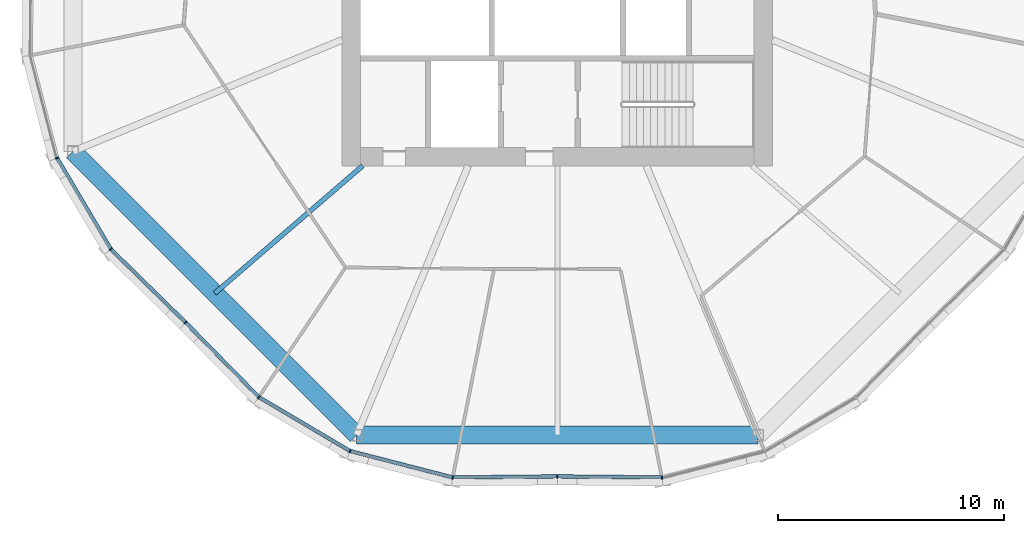
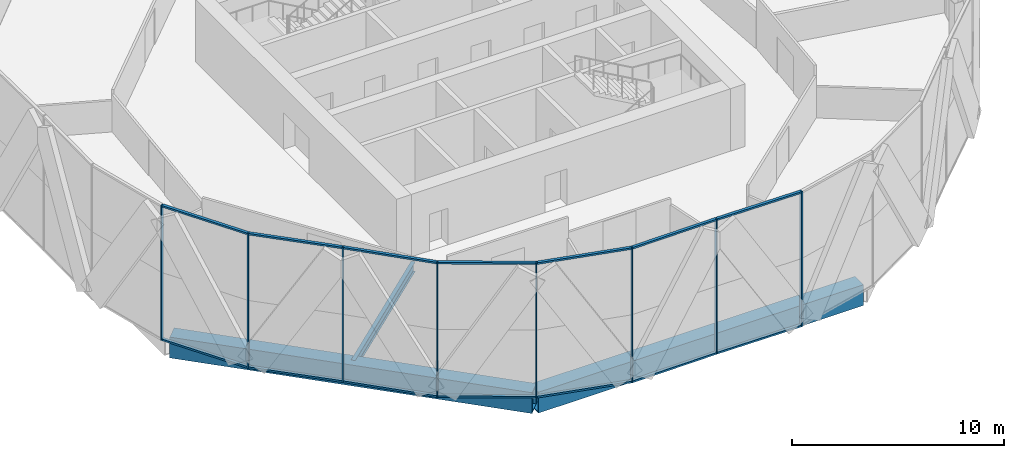
# One storey, part 3 of 31: 22 members, 3 beams, 3 elements without a shape of their own.
"""IFC4 building model written with IfcOpenShell, lengths in metres."""

from ifc_helpers import new_model, si_unit, direction, frame, origin, origin_2d, place, context, subcontext, project, spatial, rectangle, hollow_rectangle, i_section, extrude, material, material_profile, profile_set, type_object, element, aggregate, save


model = new_model("IFC4")

# Units and contexts
model_context = context("Model", 3, precision=1e-05, world=origin(), true_north=direction((0.0, 1.0)))
body_context = subcontext(model_context, "Body", "Model", "MODEL_VIEW")
ifc_project = project(units=[si_unit("LENGTHUNIT", "METRE"), si_unit("AREAUNIT", "SQUARE_METRE"), si_unit("VOLUMEUNIT", "CUBIC_METRE"), si_unit("PLANEANGLEUNIT", "RADIAN"), si_unit("MASSUNIT", "GRAM", prefix="KILO")], contexts=[model_context])

# Site, building, storey
site_placement = place(None, origin())
site = spatial("IfcSite", under=ifc_project, at=site_placement, CompositionType="ELEMENT")
building_placement = place(site_placement, origin())
building = spatial("IfcBuilding", under=site, at=building_placement, Name="Ogive Gate Towers", CompositionType="ELEMENT")
storey_placement = place(building_placement, frame((0.0, 0.0, 107.39990234375)))
storey = spatial("IfcBuildingStorey", under=building, at=storey_placement, Name="L25", CompositionType="ELEMENT", Elevation=107.39990234375)

# Beams
ifc_material_1 = material(Name="Steel SM460", Category="steel")
ifc_material_profile_1 = material_profile(ifc_material_1, hollow_rectangle(XDim=0.800048828125, YDim=1.199951171875, WallThickness=0.050048828125, at=origin_2d()), Name="BX 1200x800x50")
ifc_profile_set_1 = profile_set([ifc_material_profile_1], Name="Steel SM460")
beam_type_1 = type_object("IfcBeamType", Name="Edge girder BX 1200x800x50", PredefinedType="BEAM", material=ifc_profile_set_1)
beam_1_placement = place(storey_placement, frame((-57.39697265625, -8.863037109375, -0.89990234375), z_axis=(0.707106781187, -0.707106781187, 0.0), x_axis=(0.707106781187, 0.707106781187, 0.0)))
element("IfcBeam", 1, at=beam_1_placement, inside=storey, type_object=beam_type_1, Name="T1/L25/SBM017", PredefinedType="BEAM", context=body_context, shape_type="SweptSolid", body=[
    extrude(hollow_rectangle(XDim=0.800048828125, YDim=1.199951171875, WallThickness=0.050048828125, at=origin_2d()), origin(), (0.0, 0.0, 1.0), 17.7255859375),
])
beam_2_placement = place(storey_placement, frame((-44.863037109375, -21.39697265625, -0.89990234375), z_axis=(1.0, 0.0, 0.0), x_axis=(0.0, 1.0, 0.0)))
element("IfcBeam", 2, at=beam_2_placement, inside=storey, type_object=beam_type_1, Name="T1/L25/SBM018", PredefinedType="BEAM", context=body_context, shape_type="SweptSolid", body=[
    extrude(hollow_rectangle(XDim=0.800048828125, YDim=1.199951171875, WallThickness=0.050048828125, at=origin_2d()), origin(), (0.0, 0.0, 1.0), 17.72607421875),
])
ifc_material_2 = material(Name="Steel SM355", Category="steel")
ifc_material_profile_2 = material_profile(ifc_material_2, i_section(OverallWidth=0.2099609375, OverallDepth=0.550048828125, WebThickness=0.010986328125, FlangeThickness=0.01708984375, FilletRadius=0.02392578125, at=origin_2d()), Name="IPE 550")
ifc_profile_set_2 = profile_set([ifc_material_profile_2], Name="Steel SM355")
beam_type_2 = type_object("IfcBeamType", Name="Radial floor beam IPE 550", PredefinedType="BEAM", material=ifc_profile_set_2)
beam_3_placement = place(storey_placement, frame((-44.60009765625, -9.5, -0.574951171875), z_axis=(-0.757366499315, -0.652990034928, 0.0), x_axis=(0.652990034928, -0.757366499315, 0.0)))
element("IfcBeam", 3, at=beam_3_placement, inside=storey, type_object=beam_type_2, Name="T1/L25/SBM002", PredefinedType="BEAM", context=body_context, shape_type="SweptSolid", body=[
    extrude(i_section(OverallWidth=0.2099609375, OverallDepth=0.550048828125, WebThickness=0.010986328125, FlangeThickness=0.01708984375, FilletRadius=0.02392578125, at=origin_2d()), origin(), (0.0, 0.0, 1.0), 8.62158203125),
])

# Curtain wall, members
ifc_material_3 = material(Name="Pale metal aluminium", Category="aluminium")
curtain_wall_type = type_object("IfcCurtainWallType", Name="Tower unitised wall, low zone", PredefinedType="NOTDEFINED", material=ifc_material_3)
curtain_wall_1_placement = place(storey_placement, origin())
curtain_wall_1 = element("IfcCurtainWall", 4, at=curtain_wall_1_placement, inside=storey, type_object=curtain_wall_type, Name="CW1 T1 ECW05", PredefinedType="NOTDEFINED")
ifc_material_profile_3 = material_profile(ifc_material_3, rectangle(XDim=0.159912109375, YDim=0.06005859375, at=origin_2d()), Name="60 x 160 aluminium box")
ifc_profile_set_3 = profile_set([ifc_material_profile_3], Name="Pale metal aluminium")
member_type_1 = type_object("IfcMemberType", Name="Tower unitised wall, low zone mullion 60 x 160", PredefinedType="MULLION", material=ifc_profile_set_3)
member_1_placement = place(storey_placement, frame((-58.10009765625, -9.154052734375, -0.2998046875), z_axis=(0.0, 0.0, 1.0), x_axis=(-0.923879532511, -0.382683432365, 0.0)))
member_1 = element("IfcMember", 5, at=member_1_placement, type_object=member_type_1, Name="CW1 mullion", PredefinedType="MULLION", context=body_context, shape_type="SweptSolid", body=[
    extrude(rectangle(XDim=0.159912109375, YDim=0.06005859375, at=origin_2d()), origin(), (0.0, 0.0, 1.0), 7.7998046875),
])
member_2_placement = place(storey_placement, frame((-55.719482421875, -13.18359375, -0.2998046875), z_axis=(0.0, 0.0, 1.0), x_axis=(-0.787247231069, -0.616637492514, 0.0)))
member_2 = element("IfcMember", 6, at=member_2_placement, type_object=member_type_1, Name="CW1 mullion", PredefinedType="MULLION", context=body_context, shape_type="SweptSolid", body=[
    extrude(rectangle(XDim=0.159912109375, YDim=0.06005859375, at=origin_2d()), origin(), (0.0, 0.0, 1.0), 7.7998046875),
])
member_3_placement = place(storey_placement, frame((-52.419189453125, -16.4189453125, -0.2998046875), z_axis=(0.0, 0.0, 1.0), x_axis=(-0.700062268192, -0.714081802495, 0.0)))
member_3 = element("IfcMember", 7, at=member_3_placement, type_object=member_type_1, Name="CW1 mullion", PredefinedType="MULLION", context=body_context, shape_type="SweptSolid", body=[
    extrude(rectangle(XDim=0.159912109375, YDim=0.06005859375, at=origin_2d()), origin(), (0.0, 0.0, 1.0), 7.7998046875),
])

curtain_wall_2_placement = place(storey_placement, origin())
curtain_wall_2 = element("IfcCurtainWall", 8, at=curtain_wall_2_placement, inside=storey, type_object=curtain_wall_type, Name="CW1 T1 ECW06", PredefinedType="NOTDEFINED")
member_4_placement = place(storey_placement, frame((-49.18359375, -19.719482421875, -0.2998046875), z_axis=(0.0, 0.0, 1.0), x_axis=(-0.616637492514, -0.787247231069, 0.0)))
member_4 = element("IfcMember", 9, at=member_4_placement, type_object=member_type_1, Name="CW1 mullion", PredefinedType="MULLION", context=body_context, shape_type="SweptSolid", body=[
    extrude(rectangle(XDim=0.159912109375, YDim=0.06005859375, at=origin_2d()), origin(), (0.0, 0.0, 1.0), 7.7998046875),
])
member_5_placement = place(storey_placement, frame((-45.154052734375, -22.10009765625, -0.2998046875), z_axis=(0.0, 0.0, 1.0), x_axis=(-0.382683432365, -0.923879532511, 0.0)))
member_5 = element("IfcMember", 10, at=member_5_placement, type_object=member_type_1, Name="CW1 mullion", PredefinedType="MULLION", context=body_context, shape_type="SweptSolid", body=[
    extrude(rectangle(XDim=0.159912109375, YDim=0.06005859375, at=origin_2d()), origin(), (0.0, 0.0, 1.0), 7.7998046875),
])
member_6_placement = place(storey_placement, frame((-40.62158203125, -23.26611328125, -0.2998046875), z_axis=(0.0, 0.0, 1.0), x_axis=(-0.120639303069, -0.99269640805, 0.0)))
member_6 = element("IfcMember", 11, at=member_6_placement, type_object=member_type_1, Name="CW1 mullion", PredefinedType="MULLION", context=body_context, shape_type="SweptSolid", body=[
    extrude(rectangle(XDim=0.159912109375, YDim=0.06005859375, at=origin_2d()), origin(), (0.0, 0.0, 1.0), 7.7998046875),
])
member_7_placement = place(storey_placement, frame((-36.000244140625, -23.219970703125, -0.2998046875), z_axis=(0.0, 0.0, 1.0), x_axis=(0.009930760208, -0.999950688785, 0.0)))
member_7 = element("IfcMember", 12, at=member_7_placement, type_object=member_type_1, Name="CW1 mullion", PredefinedType="MULLION", context=body_context, shape_type="SweptSolid", body=[
    extrude(rectangle(XDim=0.159912109375, YDim=0.06005859375, at=origin_2d()), origin(), (0.0, 0.0, 1.0), 7.7998046875),
])

# Curtain wall, member
curtain_wall_3_placement = place(storey_placement, origin())
curtain_wall_3 = element("IfcCurtainWall", 13, at=curtain_wall_3_placement, inside=storey, type_object=curtain_wall_type, Name="CW1 T1 ECW07", PredefinedType="NOTDEFINED")
member_8_placement = place(storey_placement, frame((-31.37841796875, -23.26611328125, -0.2998046875), z_axis=(0.0, 0.0, 1.0), x_axis=(0.120639303069, -0.99269640805, 0.0)))
member_8 = element("IfcMember", 14, at=member_8_placement, type_object=member_type_1, Name="CW1 mullion", PredefinedType="MULLION", context=body_context, shape_type="SweptSolid", body=[
    extrude(rectangle(XDim=0.159912109375, YDim=0.06005859375, at=origin_2d()), origin(), (0.0, 0.0, 1.0), 7.7998046875),
])

# Member
ifc_material_profile_4 = material_profile(ifc_material_3, rectangle(XDim=0.159912109375, YDim=0.10009765625, at=origin_2d()), Name="100 x 160 aluminium box")
ifc_profile_set_4 = profile_set([ifc_material_profile_4], Name="Pale metal aluminium")
member_type_2 = type_object("IfcMemberType", Name="Tower unitised wall, low zone transom 100 x 160", PredefinedType="USERDEFINED", material=ifc_profile_set_4)
member_9_placement = place(storey_placement, frame((-58.086181640625, -9.177490234375, 7.4501953125), z_axis=(0.508654624087, -0.860970657685, 0.0), x_axis=(0.860970657685, 0.508654624087, 0.0)))
member_9 = element("IfcMember", 15, at=member_9_placement, type_object=member_type_2, Name="CW1 transom", ObjectType="TRANSOM", PredefinedType="USERDEFINED", context=body_context, shape_type="SweptSolid", body=[
    extrude(rectangle(XDim=0.159912109375, YDim=0.10009765625, at=origin_2d()), origin(), (0.0, 0.0, 1.0), 4.62548828125),
])

member_10_placement = place(storey_placement, frame((-58.086181640625, -9.177490234375, -0.25), z_axis=(0.508654624087, -0.860970657685, 0.0), x_axis=(0.860970657685, 0.508654624087, 0.0)))
member_10 = element("IfcMember", 16, at=member_10_placement, type_object=member_type_2, Name="CW1 transom", ObjectType="TRANSOM", PredefinedType="USERDEFINED", context=body_context, shape_type="SweptSolid", body=[
    extrude(rectangle(XDim=0.159912109375, YDim=0.10009765625, at=origin_2d()), origin(), (0.0, 0.0, 1.0), 4.62548828125),
])

member_11_placement = place(storey_placement, frame((-55.699951171875, -13.20263671875, 7.4501953125), z_axis=(0.714079130714, -0.700064993467, 0.0), x_axis=(0.700064993467, 0.714079130714, 0.0)))
member_11 = element("IfcMember", 17, at=member_11_placement, type_object=member_type_2, Name="CW1 transom", ObjectType="TRANSOM", PredefinedType="USERDEFINED", context=body_context, shape_type="SweptSolid", body=[
    extrude(rectangle(XDim=0.159912109375, YDim=0.10009765625, at=origin_2d()), origin(), (0.0, 0.0, 1.0), 4.564208984375),
])

member_12_placement = place(storey_placement, frame((-55.699951171875, -13.20263671875, -0.25), z_axis=(0.714079130714, -0.700064993467, 0.0), x_axis=(0.700064993467, 0.714079130714, 0.0)))
member_12 = element("IfcMember", 18, at=member_12_placement, type_object=member_type_2, Name="CW1 transom", ObjectType="TRANSOM", PredefinedType="USERDEFINED", context=body_context, shape_type="SweptSolid", body=[
    extrude(rectangle(XDim=0.159912109375, YDim=0.10009765625, at=origin_2d()), origin(), (0.0, 0.0, 1.0), 4.564208984375),
])

aggregate(curtain_wall_1, [member_1, member_2, member_9, member_10, member_3, member_11, member_12])

member_13_placement = place(storey_placement, frame((-52.39794921875, -16.440673828125, 7.4501953125), z_axis=(0.700064993467, -0.714079130714, 0.0), x_axis=(0.714079130714, 0.700064993467, 0.0)))
member_13 = element("IfcMember", 19, at=member_13_placement, type_object=member_type_2, Name="CW1 transom", ObjectType="TRANSOM", PredefinedType="USERDEFINED", context=body_context, shape_type="SweptSolid", body=[
    extrude(rectangle(XDim=0.159912109375, YDim=0.10009765625, at=origin_2d()), origin(), (0.0, 0.0, 1.0), 4.564208984375),
])

member_14_placement = place(storey_placement, frame((-52.39794921875, -16.440673828125, -0.25), z_axis=(0.700064993467, -0.714079130714, 0.0), x_axis=(0.714079130714, 0.700064993467, 0.0)))
member_14 = element("IfcMember", 20, at=member_14_placement, type_object=member_type_2, Name="CW1 transom", ObjectType="TRANSOM", PredefinedType="USERDEFINED", context=body_context, shape_type="SweptSolid", body=[
    extrude(rectangle(XDim=0.159912109375, YDim=0.10009765625, at=origin_2d()), origin(), (0.0, 0.0, 1.0), 4.564208984375),
])

member_15_placement = place(storey_placement, frame((-49.159912109375, -19.7333984375, 7.4501953125), z_axis=(0.860970657685, -0.508654624087, 0.0), x_axis=(0.508654624087, 0.860970657685, 0.0)))
member_15 = element("IfcMember", 21, at=member_15_placement, type_object=member_type_2, Name="CW1 transom", ObjectType="TRANSOM", PredefinedType="USERDEFINED", context=body_context, shape_type="SweptSolid", body=[
    extrude(rectangle(XDim=0.159912109375, YDim=0.10009765625, at=origin_2d()), origin(), (0.0, 0.0, 1.0), 4.62548828125),
])

member_16_placement = place(storey_placement, frame((-49.159912109375, -19.7333984375, -0.25), z_axis=(0.860970657685, -0.508654624087, 0.0), x_axis=(0.508654624087, 0.860970657685, 0.0)))
member_16 = element("IfcMember", 22, at=member_16_placement, type_object=member_type_2, Name="CW1 transom", ObjectType="TRANSOM", PredefinedType="USERDEFINED", context=body_context, shape_type="SweptSolid", body=[
    extrude(rectangle(XDim=0.159912109375, YDim=0.10009765625, at=origin_2d()), origin(), (0.0, 0.0, 1.0), 4.62548828125),
])

member_17_placement = place(storey_placement, frame((-45.127685546875, -22.106689453125, 7.4501953125), z_axis=(0.968468193221, -0.24913722869, 0.0), x_axis=(0.24913722869, 0.968468193221, 0.0)))
member_17 = element("IfcMember", 23, at=member_17_placement, type_object=member_type_2, Name="CW1 transom", ObjectType="TRANSOM", PredefinedType="USERDEFINED", context=body_context, shape_type="SweptSolid", body=[
    extrude(rectangle(XDim=0.159912109375, YDim=0.10009765625, at=origin_2d()), origin(), (0.0, 0.0, 1.0), 4.625244140625),
])

member_18_placement = place(storey_placement, frame((-45.127685546875, -22.106689453125, -0.25), z_axis=(0.968468193221, -0.24913722869, 0.0), x_axis=(0.24913722869, 0.968468193221, 0.0)))
member_18 = element("IfcMember", 24, at=member_18_placement, type_object=member_type_2, Name="CW1 transom", ObjectType="TRANSOM", PredefinedType="USERDEFINED", context=body_context, shape_type="SweptSolid", body=[
    extrude(rectangle(XDim=0.159912109375, YDim=0.10009765625, at=origin_2d()), origin(), (0.0, 0.0, 1.0), 4.625244140625),
])

member_19_placement = place(storey_placement, frame((-40.59423828125, -23.265625, 7.4501953125), z_axis=(0.999950505246, 0.009949224028, 0.0), x_axis=(-0.009949224028, 0.999950505246, 0.0)))
member_19 = element("IfcMember", 25, at=member_19_placement, type_object=member_type_2, Name="CW1 transom", ObjectType="TRANSOM", PredefinedType="USERDEFINED", context=body_context, shape_type="SweptSolid", body=[
    extrude(rectangle(XDim=0.159912109375, YDim=0.10009765625, at=origin_2d()), origin(), (0.0, 0.0, 1.0), 4.564208984375),
])

member_20_placement = place(storey_placement, frame((-40.59423828125, -23.265625, -0.25), z_axis=(0.999950505246, 0.009949224028, 0.0), x_axis=(-0.009949224028, 0.999950505246, 0.0)))
member_20 = element("IfcMember", 26, at=member_20_placement, type_object=member_type_2, Name="CW1 transom", ObjectType="TRANSOM", PredefinedType="USERDEFINED", context=body_context, shape_type="SweptSolid", body=[
    extrude(rectangle(XDim=0.159912109375, YDim=0.10009765625, at=origin_2d()), origin(), (0.0, 0.0, 1.0), 4.564208984375),
])

aggregate(curtain_wall_2, [member_4, member_13, member_14, member_5, member_15, member_16, member_6, member_17, member_18, member_7, member_19, member_20])

member_21_placement = place(storey_placement, frame((-35.9697265625, -23.22021484375, 7.4501953125), z_axis=(0.999950505246, -0.009949224028, 0.0), x_axis=(0.009949224028, 0.999950505246, 0.0)))
member_21 = element("IfcMember", 27, at=member_21_placement, type_object=member_type_2, Name="CW1 transom", ObjectType="TRANSOM", PredefinedType="USERDEFINED", context=body_context, shape_type="SweptSolid", body=[
    extrude(rectangle(XDim=0.159912109375, YDim=0.10009765625, at=origin_2d()), origin(), (0.0, 0.0, 1.0), 4.564208984375),
])

member_22_placement = place(storey_placement, frame((-35.9697265625, -23.22021484375, -0.25), z_axis=(0.999950505246, -0.009949224028, 0.0), x_axis=(0.009949224028, 0.999950505246, 0.0)))
member_22 = element("IfcMember", 28, at=member_22_placement, type_object=member_type_2, Name="CW1 transom", ObjectType="TRANSOM", PredefinedType="USERDEFINED", context=body_context, shape_type="SweptSolid", body=[
    extrude(rectangle(XDim=0.159912109375, YDim=0.10009765625, at=origin_2d()), origin(), (0.0, 0.0, 1.0), 4.564208984375),
])

aggregate(curtain_wall_3, [member_8, member_21, member_22])

save(model, "model.ifc")
